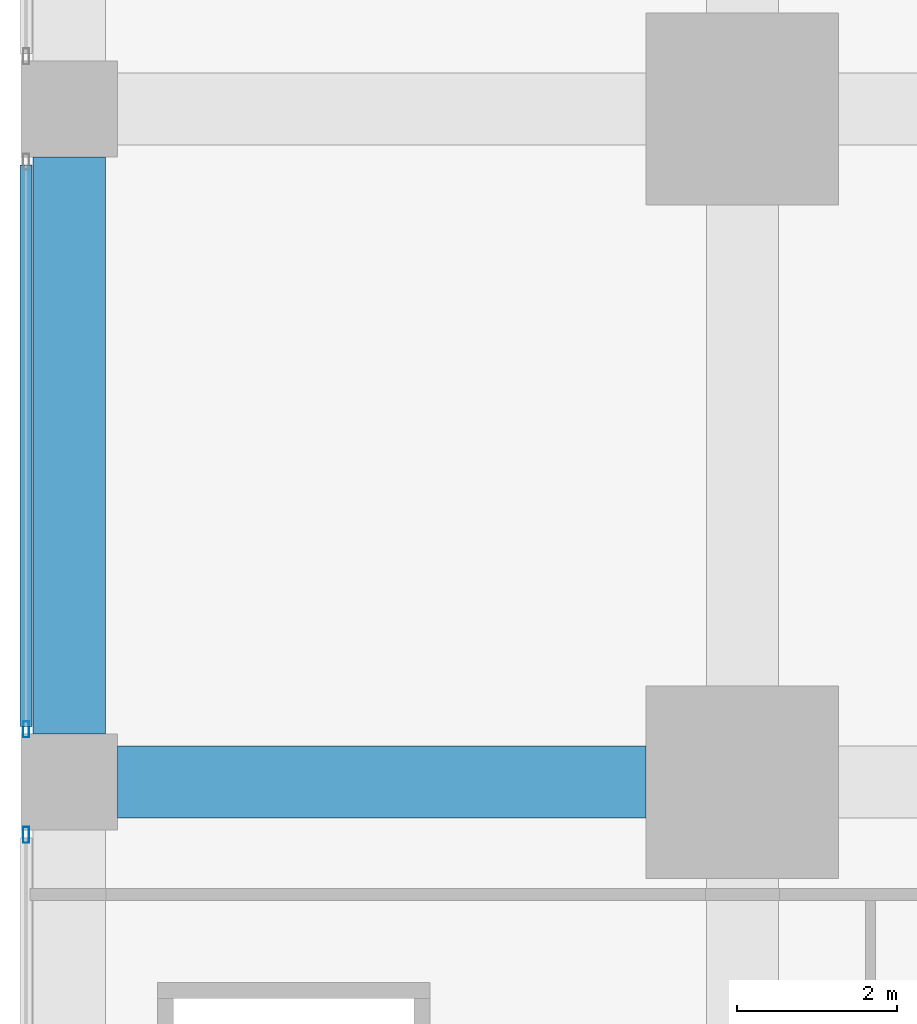
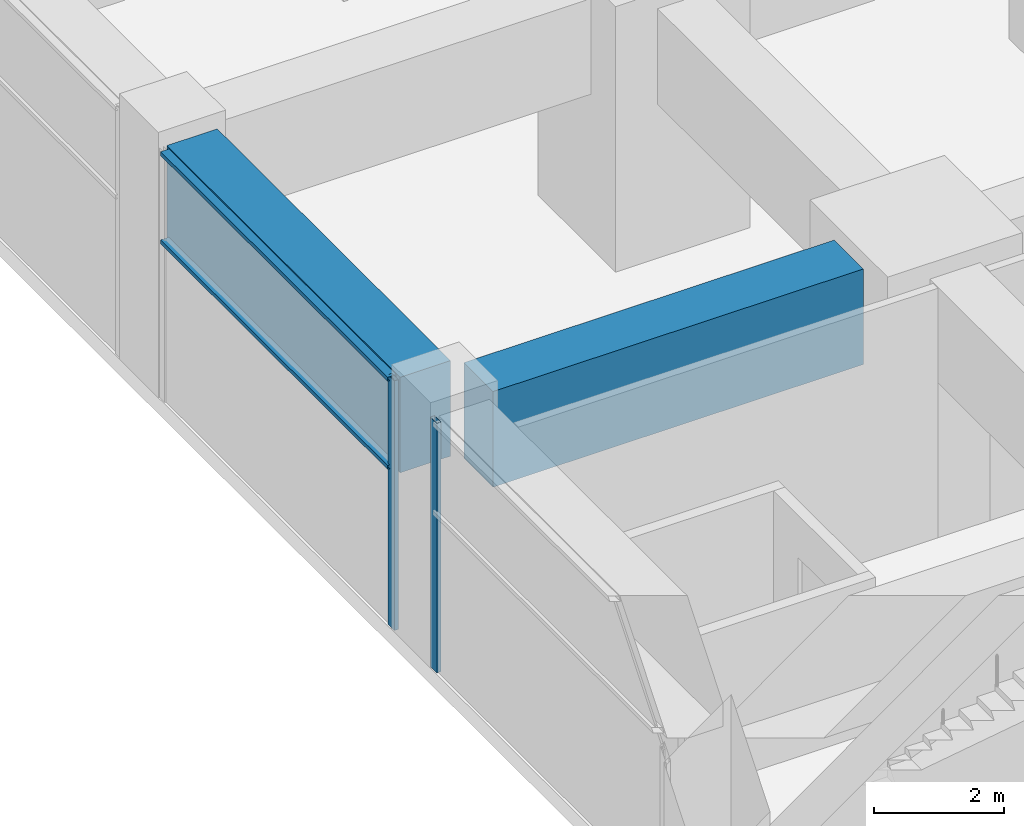
# One storey, part 19 of 49: 4 members, 2 beams, 2 elements without a shape of their own.
"""IFC4 building model written with IfcOpenShell, lengths in metres."""

from ifc_helpers import new_model, si_unit, direction, frame, origin, origin_2d, place, context, subcontext, project, spatial, rectangle, hollow_rectangle, extrude, material, material_profile, profile_set, type_object, element, aggregate, save


model = new_model("IFC4")

# Units and contexts
model_context = context("Model", 3, precision=1e-05, world=origin(), true_north=direction((0.0, 1.0)))
body_context = subcontext(model_context, "Body", "Model", "MODEL_VIEW")
ifc_project = project(units=[si_unit("LENGTHUNIT", "METRE"), si_unit("AREAUNIT", "SQUARE_METRE"), si_unit("VOLUMEUNIT", "CUBIC_METRE"), si_unit("PLANEANGLEUNIT", "RADIAN"), si_unit("MASSUNIT", "GRAM", prefix="KILO")], contexts=[model_context])

# Site, building, storey
site_placement = place(None, origin())
site = spatial("IfcSite", under=ifc_project, at=site_placement, CompositionType="ELEMENT")
building_placement = place(site_placement, origin())
building = spatial("IfcBuilding", under=site, at=building_placement, Name="Rekha Terrace Tower", CompositionType="ELEMENT")
storey_placement = place(building_placement, frame((0.0, 0.0, 5.39990234375)))
storey = spatial("IfcBuildingStorey", under=building, at=storey_placement, Name="L01", CompositionType="ELEMENT", Elevation=5.39990234375)

# Curtain wall, member
ifc_material_1 = material(Name="Aluminium framing", Category="aluminium")
curtain_wall_type = type_object("IfcCurtainWallType", Name="CW4 podium shopfront glazing", PredefinedType="USERDEFINED", material=ifc_material_1)
curtain_wall_1_placement = place(storey_placement, origin())
curtain_wall_1 = element("IfcCurtainWall", 1, at=curtain_wall_1_placement, inside=storey, type_object=curtain_wall_type, Name="CW4 shopfront curtain wall", ObjectType="SHOPFRONT CURTAIN WALL", PredefinedType="USERDEFINED")
ifc_material_2 = material(Name="Aluminium mullion section", Category="aluminium")
ifc_material_profile_1 = material_profile(ifc_material_2, hollow_rectangle(XDim=0.074951171875, YDim=0.199951171875, WallThickness=0.00390625, at=origin_2d()), Name="AL RHS 75x200")
ifc_profile_set_1 = profile_set([ifc_material_profile_1], Name="Aluminium mullion section")
member_type_1 = type_object("IfcMemberType", Name="CW4 mullion RHS 75 x 200", PredefinedType="MULLION", material=ifc_profile_set_1)
member_1_placement = place(storey_placement, frame((-0.5400390625, 42.657470703125, 0.0), z_axis=(0.0, 0.0, 1.0), x_axis=(1.0, 0.0, 0.0)))
member_1 = element("IfcMember", 2, at=member_1_placement, type_object=member_type_1, Name="CW4 mullion 2", PredefinedType="MULLION", context=body_context, shape_type="SweptSolid", body=[
    extrude(hollow_rectangle(XDim=0.074951171875, YDim=0.199951171875, WallThickness=0.00390625, at=origin_2d()), origin(), (0.0, 0.0, 1.0), 4.7001953125),
])

curtain_wall_2_placement = place(storey_placement, origin())
curtain_wall_2 = element("IfcCurtainWall", 3, at=curtain_wall_2_placement, inside=storey, type_object=curtain_wall_type, Name="CW4 shopfront curtain wall", ObjectType="SHOPFRONT CURTAIN WALL", PredefinedType="USERDEFINED")
member_2_placement = place(storey_placement, frame((-0.5400390625, 41.342529296875, 0.0), z_axis=(0.0, 0.0, 1.0), x_axis=(1.0, 0.0, 0.0)))
member_2 = element("IfcMember", 4, at=member_2_placement, type_object=member_type_1, Name="CW4 mullion 1", PredefinedType="MULLION", context=body_context, shape_type="SweptSolid", body=[
    extrude(hollow_rectangle(XDim=0.074951171875, YDim=0.199951171875, WallThickness=0.00390625, at=origin_2d()), origin(), (0.0, 0.0, 1.0), 4.7001953125),
])
aggregate(curtain_wall_2, [member_2])

# Member
ifc_material_3 = material(Name="Aluminium transom section", Category="aluminium")
ifc_material_profile_2 = material_profile(ifc_material_3, hollow_rectangle(XDim=0.14990234375, YDim=0.074951171875, WallThickness=0.0029296875, at=origin_2d()), Name="AL RHS 150x75")
ifc_profile_set_2 = profile_set([ifc_material_profile_2], Name="Aluminium transom section")
member_type_2 = type_object("IfcMemberType", Name="CW4 transom RHS 75 x 150", PredefinedType="USERDEFINED", material=ifc_profile_set_2)
member_3_placement = place(storey_placement, frame((-0.5400390625, 49.705078125, 3.0), z_axis=(0.0, -1.0, 0.0), x_axis=(1.0, 0.0, 0.0)))
member_3 = element("IfcMember", 5, at=member_3_placement, type_object=member_type_2, Name="CW4 transom 1.2", ObjectType="TRANSOM", PredefinedType="USERDEFINED", context=body_context, shape_type="SweptSolid", body=[
    extrude(hollow_rectangle(XDim=0.14990234375, YDim=0.074951171875, WallThickness=0.0029296875, at=origin_2d()), origin(), (0.0, 0.0, 1.0), 7.010009765625),
])

member_4_placement = place(storey_placement, frame((-0.5400390625, 49.705078125, 4.66259765625), z_axis=(0.0, -1.0, 0.0), x_axis=(1.0, 0.0, 0.0)))
member_4 = element("IfcMember", 6, at=member_4_placement, type_object=member_type_2, Name="CW4 transom 1.3", ObjectType="TRANSOM", PredefinedType="USERDEFINED", context=body_context, shape_type="SweptSolid", body=[
    extrude(hollow_rectangle(XDim=0.14990234375, YDim=0.074951171875, WallThickness=0.0029296875, at=origin_2d()), origin(), (0.0, 0.0, 1.0), 7.010009765625),
])

aggregate(curtain_wall_1, [member_1, member_3, member_4])

# Beams
ifc_material_4 = material(Name="Concrete M60", Category="concrete")
ifc_material_profile_3 = material_profile(ifc_material_4, rectangle(XDim=0.89990234375, YDim=1.800048828125, at=origin_2d()), Name="RC 900x1800")
ifc_profile_set_3 = profile_set([ifc_material_profile_3], Name="Concrete M60")
beam_type = type_object("IfcBeamType", Name="G1 900x1800 podium floor beam", PredefinedType="BEAM", material=ifc_profile_set_3)
beam_1_placement = place(storey_placement, frame((0.60009765625, 42.0, 3.800048828125), z_axis=(1.0, 0.0, 0.0), x_axis=(0.0, 1.0, 0.0)))
element("IfcBeam", 7, at=beam_1_placement, inside=storey, type_object=beam_type, Name="Beam G1 1F-2F under L02", PredefinedType="BEAM", context=body_context, shape_type="SweptSolid", body=[
    extrude(rectangle(XDim=0.89990234375, YDim=1.800048828125, at=origin_2d()), origin(), (0.0, 0.0, 1.0), 6.599853515625),
])
beam_2_placement = place(storey_placement, frame((0.0, 42.60009765625, 3.800048828125), z_axis=(0.0, 1.0, 0.0), x_axis=(-1.0, 0.0, 0.0)))
element("IfcBeam", 8, at=beam_2_placement, inside=storey, type_object=beam_type, Name="Beam G1 1F-1G under L02", PredefinedType="BEAM", context=body_context, shape_type="SweptSolid", body=[
    extrude(rectangle(XDim=0.89990234375, YDim=1.800048828125, at=origin_2d()), origin(), (0.0, 0.0, 1.0), 7.199951171875),
])

save(model, "model.ifc")
